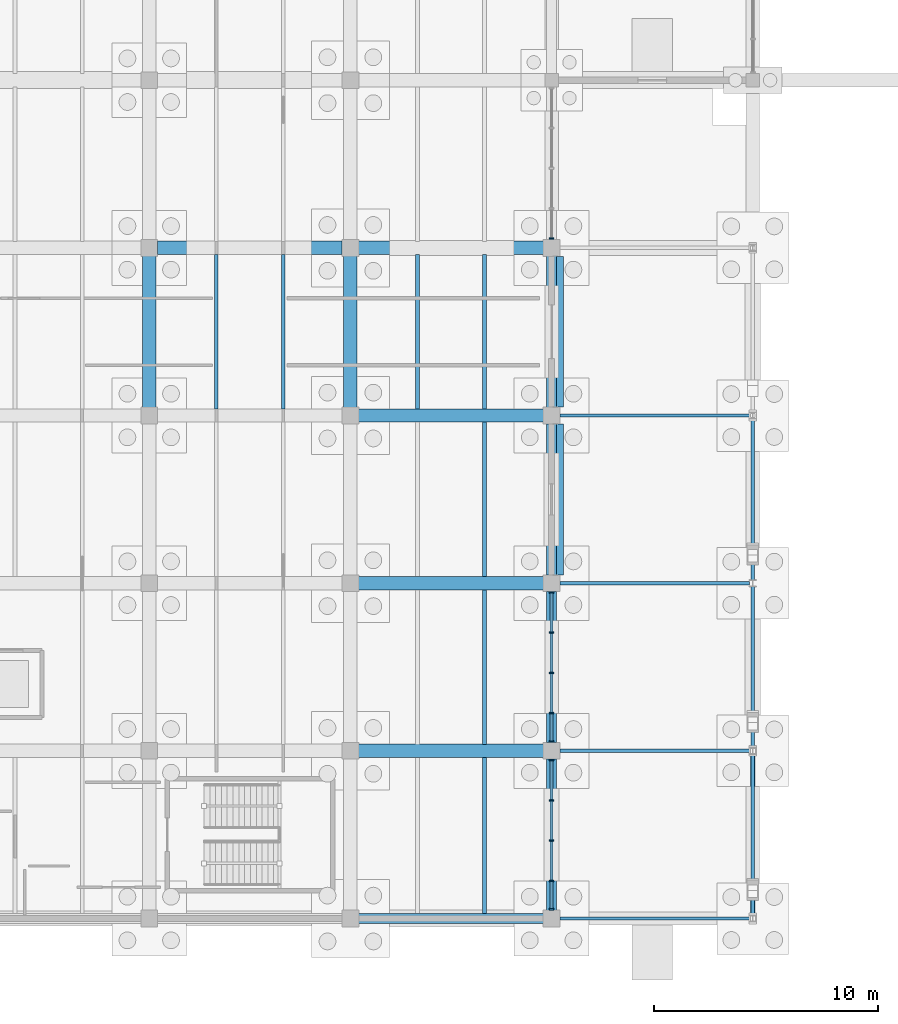
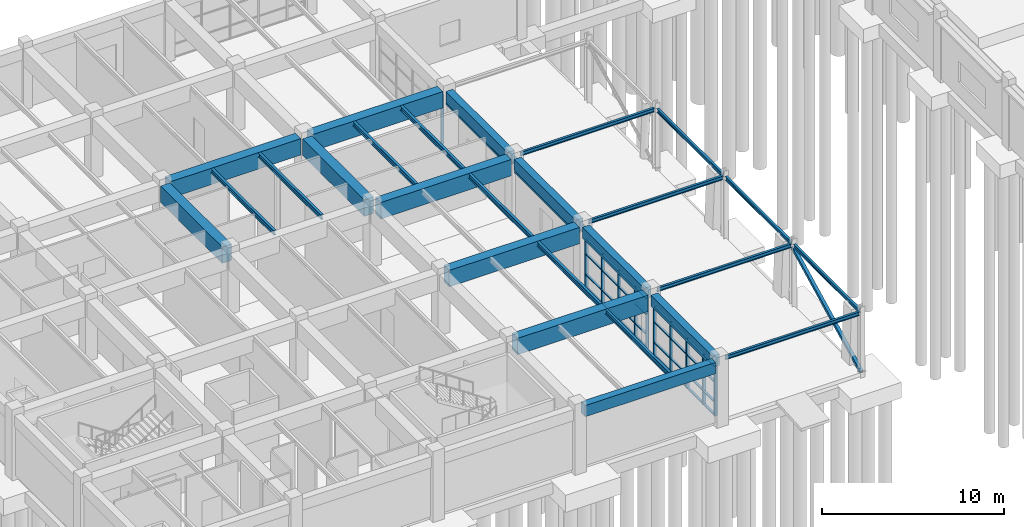
# One storey, part 17 of 93: 46 members, 26 beams, 3 elements without a shape of their own.
"""IFC4 building model written with IfcOpenShell, lengths in metres."""

from ifc_helpers import new_model, si_unit, direction, frame, origin, origin_2d, place, context, subcontext, project, spatial, rectangle, hollow_rectangle, i_section, extrude, material, layer, layer_set, material_profile, profile_set, type_object, element, aggregate, save


model = new_model("IFC4")

# Units and contexts
model_context = context("Model", 3, precision=1e-05, world=origin(), true_north=direction((0.0, 1.0)))
body_context = subcontext(model_context, "Body", "Model", "MODEL_VIEW")
ifc_project = project(units=[si_unit("LENGTHUNIT", "METRE"), si_unit("AREAUNIT", "SQUARE_METRE"), si_unit("VOLUMEUNIT", "CUBIC_METRE"), si_unit("PLANEANGLEUNIT", "RADIAN"), si_unit("MASSUNIT", "GRAM", prefix="KILO")], contexts=[model_context])

# Site, building, storey
site_placement = place(None, origin())
site = spatial("IfcSite", under=ifc_project, at=site_placement, CompositionType="ELEMENT")
building_placement = place(site_placement, origin())
building = spatial("IfcBuilding", under=site, at=building_placement, Name="Marnridge Secondary College", CompositionType="ELEMENT")
storey_placement = place(building_placement, origin())
storey = spatial("IfcBuildingStorey", under=building, at=storey_placement, Name="L00", CompositionType="ELEMENT", Elevation=0.0)

# Beams
ifc_material_1 = material(Name="Concrete C40/50 (AS 3600 N40, 40 MPa)", Category="concrete")
ifc_material_profile_1 = material_profile(ifc_material_1, rectangle(XDim=0.449951171875, YDim=0.75, at=origin_2d()), Name="RC 450x750")
ifc_profile_set_1 = profile_set([ifc_material_profile_1], Name="Concrete C40/50 (AS 3600 N40, 40 MPa)")
beam_type_1 = type_object("IfcBeamType", Name="BM-RC4575-EXT", PredefinedType="SPANDREL", material=ifc_profile_set_1)
beam_1_placement = place(storey_placement, frame((27.368896484375, 0.0, 3.715087890625), z_axis=(1.0, 0.0, 0.0), x_axis=(0.0, 1.0, 0.0)))
element("IfcBeam", 1, at=beam_1_placement, inside=storey, type_object=beam_type_1, Name="Beam BS-L00-0360", PredefinedType="SPANDREL", context=body_context, shape_type="SweptSolid", body=[
    extrude(rectangle(XDim=0.449951171875, YDim=0.75, at=origin_2d()), origin(), (0.0, 0.0, 1.0), 8.26220703125),
])
for number, where, z_axis, x_axis, name in (
    (2, (36.0, 0.368896484375, 3.715087890625), (0.0, 1.0, 0.0), (-1.0, 0.0, 0.0), "Beam BS-L00-0362"),
    (3, (36.0, 7.868896484375, 3.715087890625), (0.0, 1.0, 0.0), (-1.0, 0.0, 0.0), "Beam BS-L00-0364"),
    (4, (36.0, 15.368896484375, 3.715087890625), (0.0, 1.0, 0.0), (-1.0, 0.0, 0.0), "Beam BS-L00-0366"),
    (5, (36.0, 22.868896484375, 3.715087890625), (0.0, 1.0, 0.0), (-1.0, 0.0, 0.0), "Beam BS-L00-0368"),
):
    element("IfcBeam", number, at=place(storey_placement, frame(where, z_axis=z_axis, x_axis=x_axis)), inside=storey, type_object=beam_type_1, Name=name, PredefinedType="SPANDREL", context=body_context, shape_type="SweptSolid", body=[
        extrude(rectangle(XDim=0.449951171875, YDim=0.75, at=origin_2d()), origin(), (0.0, 0.0, 1.0), 6.76220703125),
    ])
ifc_material_2 = material(Name="Concrete C40/50 (AS 3600 N40, 40 MPa)", Category="concrete")
ifc_material_profile_2 = material_profile(ifc_material_2, rectangle(XDim=0.60009765625, YDim=1.10009765625, at=origin_2d()), Name="RC 600x1100")
ifc_profile_set_2 = profile_set([ifc_material_profile_2], Name="Concrete C40/50 (AS 3600 N40, 40 MPa)")
beam_type_2 = type_object("IfcBeamType", Name="BM-RC6011-INT", PredefinedType="BEAM", material=ifc_profile_set_2)
beam_2_placement = place(storey_placement, frame((18.0, 22.868896484375, 3.5400390625), z_axis=(0.0, 1.0, 0.0), x_axis=(-1.0, 0.0, 0.0)))
element("IfcBeam", 6, at=beam_2_placement, inside=storey, type_object=beam_type_2, Name="Beam B-L00-0342", PredefinedType="BEAM", context=body_context, shape_type="SweptSolid", body=[
    extrude(rectangle(XDim=0.60009765625, YDim=1.10009765625, at=origin_2d()), origin(), (0.0, 0.0, 1.0), 6.76220703125),
])
beam_3_placement = place(storey_placement, frame((18.368896484375, 30.0, 3.5400390625), z_axis=(1.0, 0.0, 0.0), x_axis=(0.0, 1.0, 0.0)))
element("IfcBeam", 7, at=beam_3_placement, inside=storey, type_object=beam_type_2, Name="Beam B-L00-0354", PredefinedType="BEAM", context=body_context, shape_type="SweptSolid", body=[
    extrude(rectangle(XDim=0.60009765625, YDim=1.10009765625, at=origin_2d()), origin(), (0.0, 0.0, 1.0), 8.26220703125),
])
beam_4_placement = place(storey_placement, frame((27.0, 22.868896484375, 3.5400390625), z_axis=(0.0, 1.0, 0.0), x_axis=(-1.0, 0.0, 0.0)))
element("IfcBeam", 8, at=beam_4_placement, inside=storey, type_object=beam_type_2, Name="Beam B-L00-0355", PredefinedType="BEAM", context=body_context, shape_type="SweptSolid", body=[
    extrude(rectangle(XDim=0.60009765625, YDim=1.10009765625, at=origin_2d()), origin(), (0.0, 0.0, 1.0), 6.76220703125),
])
for number, where, z_axis, x_axis, name in (
    (9, (27.368896484375, 7.5, 3.5400390625), (1.0, 0.0, 0.0), (0.0, 1.0, 0.0), "Beam B-L00-0361"),
    (10, (27.368896484375, 15.0, 3.5400390625), (1.0, 0.0, 0.0), (0.0, 1.0, 0.0), "Beam B-L00-0363"),
    (11, (27.368896484375, 22.5, 3.5400390625), (1.0, 0.0, 0.0), (0.0, 1.0, 0.0), "Beam B-L00-0365"),
    (12, (27.368896484375, 30.0, 3.5400390625), (1.0, 0.0, 0.0), (0.0, 1.0, 0.0), "Beam B-L00-0367"),
):
    element("IfcBeam", number, at=place(storey_placement, frame(where, z_axis=z_axis, x_axis=x_axis)), inside=storey, type_object=beam_type_2, Name=name, PredefinedType="BEAM", context=body_context, shape_type="SweptSolid", body=[
        extrude(rectangle(XDim=0.60009765625, YDim=1.10009765625, at=origin_2d()), origin(), (0.0, 0.0, 1.0), 8.26220703125),
    ])
ifc_material_3 = material(Name="Structural steel Grade 350 (AS/NZS 3679.1/.2, fy = 340-360 MPa)", Category="steel")
ifc_material_profile_3 = material_profile(ifc_material_3, i_section(OverallWidth=0.146240234375, OverallDepth=0.256103515625, WebThickness=0.00634765625, FlangeThickness=0.010986328125, FilletRadius=0.0087890625, at=origin_2d()), Name="250UB37.3")
ifc_profile_set_3 = profile_set([ifc_material_profile_3], Name="Structural steel Grade 350 (AS/NZS 3679.1/.2, fy = 340-360 MPa)")
beam_type_3 = type_object("IfcBeamType", Name="BM-UB250-EXT", PredefinedType="LINTEL", material=ifc_profile_set_3)
for number, where, z_axis, x_axis, name in (
    (13, (45.0, 0.14794921875, 4.031982421875), (0.0, 1.0, 0.0), (-1.0, 0.0, 0.0), "Beam BL-L00-1460"),
    (14, (45.0, 7.64794921875, 4.031982421875), (0.0, 1.0, 0.0), (-1.0, 0.0, 0.0), "Beam BL-L00-1461"),
    (15, (45.0, 15.14794921875, 4.031982421875), (0.0, 1.0, 0.0), (-1.0, 0.0, 0.0), "Beam BL-L00-1462"),
):
    element("IfcBeam", number, at=place(storey_placement, frame(where, z_axis=z_axis, x_axis=x_axis)), inside=storey, type_object=beam_type_3, Name=name, PredefinedType="LINTEL", context=body_context, shape_type="SweptSolid", body=[
        extrude(i_section(OverallWidth=0.146240234375, OverallDepth=0.256103515625, WebThickness=0.00634765625, FlangeThickness=0.010986328125, FilletRadius=0.0087890625, at=origin_2d()), origin(), (0.0, 0.0, 1.0), 7.2041015625),
    ])
for number, where, z_axis, x_axis, name in (
    (16, (36.368896484375, 0.0, 4.031982421875), (1.0, 0.0, 0.0), (0.0, 1.0, 0.0), "Beam BL-L00-1464"),
    (17, (36.368896484375, 7.5, 4.031982421875), (1.0, 0.0, 0.0), (0.0, 1.0, 0.0), "Beam BL-L00-1465"),
    (18, (36.368896484375, 15.0, 4.031982421875), (1.0, 0.0, 0.0), (0.0, 1.0, 0.0), "Beam BL-L00-1466"),
    (19, (36.368896484375, 22.5, 4.031982421875), (1.0, 0.0, 0.0), (0.0, 1.0, 0.0), "Beam BL-L00-1467"),
):
    element("IfcBeam", number, at=place(storey_placement, frame(where, z_axis=z_axis, x_axis=x_axis)), inside=storey, type_object=beam_type_3, Name=name, PredefinedType="LINTEL", context=body_context, shape_type="SweptSolid", body=[
        extrude(i_section(OverallWidth=0.146240234375, OverallDepth=0.256103515625, WebThickness=0.00634765625, FlangeThickness=0.010986328125, FilletRadius=0.0087890625, at=origin_2d()), origin(), (0.0, 0.0, 1.0), 8.484619140625),
    ])
ifc_material_4 = material(Name="Structural steel Grade 350 (AS/NZS 3679.1/.2, fy = 340-360 MPa)", Category="steel")
ifc_material_profile_4 = material_profile(ifc_material_4, i_section(OverallWidth=0.166015625, OverallDepth=0.30712890625, WebThickness=0.006591796875, FlangeThickness=0.01171875, FilletRadius=0.011474609375, at=origin_2d()), Name="310UB46.2")
ifc_profile_set_4 = profile_set([ifc_material_profile_4], Name="Structural steel Grade 350 (AS/NZS 3679.1/.2, fy = 340-360 MPa)")
beam_type_4 = type_object("IfcBeamType", Name="BM-UB310A-INT", PredefinedType="BEAM", material=ifc_profile_set_4)
for number, where, z_axis, x_axis, name in (
    (20, (21.0, 22.7939453125, 3.936279296875), (0.0, 1.0, 0.0), (-1.0, 0.0, 0.0), "Beam BJ-L00-0398"),
    (21, (24.0, 22.7939453125, 3.936279296875), (0.0, 1.0, 0.0), (-1.0, 0.0, 0.0), "Beam BJ-L00-0399"),
):
    element("IfcBeam", number, at=place(storey_placement, frame(where, z_axis=z_axis, x_axis=x_axis)), inside=storey, type_object=beam_type_4, Name=name, PredefinedType="BEAM", context=body_context, shape_type="SweptSolid", body=[
        extrude(i_section(OverallWidth=0.166015625, OverallDepth=0.30712890625, WebThickness=0.006591796875, FlangeThickness=0.01171875, FilletRadius=0.011474609375, at=origin_2d()), origin(), (0.0, 0.0, 1.0), 6.912109375),
    ])
beam_5_placement = place(storey_placement, frame((33.0, 0.218994140625, 3.936279296875), z_axis=(0.0, 1.0, 0.0), x_axis=(-1.0, 0.0, 0.0)))
element("IfcBeam", 22, at=beam_5_placement, inside=storey, type_object=beam_type_4, Name="Beam BJ-L00-0405", PredefinedType="BEAM", context=body_context, shape_type="SweptSolid", body=[
    extrude(i_section(OverallWidth=0.166015625, OverallDepth=0.30712890625, WebThickness=0.006591796875, FlangeThickness=0.01171875, FilletRadius=0.011474609375, at=origin_2d()), origin(), (0.0, 0.0, 1.0), 6.987060546875),
])
for number, where, z_axis, x_axis, name in (
    (23, (33.0, 7.7939453125, 3.936279296875), (0.0, 1.0, 0.0), (-1.0, 0.0, 0.0), "Beam BJ-L00-0407"),
    (24, (33.0, 15.2939453125, 3.936279296875), (0.0, 1.0, 0.0), (-1.0, 0.0, 0.0), "Beam BJ-L00-0409"),
    (25, (30.0, 22.7939453125, 3.936279296875), (0.0, 1.0, 0.0), (-1.0, 0.0, 0.0), "Beam BJ-L00-0410"),
    (26, (33.0, 22.7939453125, 3.936279296875), (0.0, 1.0, 0.0), (-1.0, 0.0, 0.0), "Beam BJ-L00-0411"),
):
    element("IfcBeam", number, at=place(storey_placement, frame(where, z_axis=z_axis, x_axis=x_axis)), inside=storey, type_object=beam_type_4, Name=name, PredefinedType="BEAM", context=body_context, shape_type="SweptSolid", body=[
        extrude(i_section(OverallWidth=0.166015625, OverallDepth=0.30712890625, WebThickness=0.006591796875, FlangeThickness=0.01171875, FilletRadius=0.011474609375, at=origin_2d()), origin(), (0.0, 0.0, 1.0), 6.912109375),
    ])

# Curtain wall, member
ifc_material_5 = material(Name="Bronze-anodised aluminium and solar-control glazing", Category="aluminium")
ifc_layer = layer(ifc_material_5, 0.199951171875)
ifc_layer_set = layer_set([ifc_layer], Name="CW-MOD-1800")
curtain_wall_type = type_object("IfcCurtainWallType", Name="CW-MOD-1800", PredefinedType="NOTDEFINED", material=ifc_layer_set)
curtain_wall_1_placement = place(storey_placement, origin())
curtain_wall_1 = element("IfcCurtainWall", 27, at=curtain_wall_1_placement, inside=storey, type_object=curtain_wall_type, Name="Unitised curtain wall CW-L00-023", PredefinedType="NOTDEFINED")
ifc_material_6 = material(Name="Bronze-anodised aluminium 6063-T6", Category="aluminium")
ifc_material_profile_5 = material_profile(ifc_material_6, rectangle(XDim=0.070068359375, YDim=0.199951171875, at=origin_2d()), Name="ALU 70x200")
ifc_profile_set_5 = profile_set([ifc_material_profile_5], Name="Bronze-anodised aluminium 6063-T6")
member_type_1 = type_object("IfcMemberType", Name="CWM-ALU200", PredefinedType="MULLION", material=ifc_profile_set_5)
member_1_placement = place(storey_placement, frame((36.0, 30.4140625, 0.0), z_axis=(0.0, 0.0, 1.0), x_axis=(0.0, -1.0, 0.0)))
member_1 = element("IfcMember", 28, at=member_1_placement, type_object=member_type_1, Name="CW-L00-023 mullion 5", PredefinedType="MULLION", context=body_context, shape_type="SweptSolid", body=[
    extrude(rectangle(XDim=0.070068359375, YDim=0.199951171875, at=origin_2d()), origin(), (0.0, 0.0, 1.0), 3.33203125),
])
aggregate(curtain_wall_1, [member_1])

# Curtain wall, members
curtain_wall_2_placement = place(storey_placement, origin())
curtain_wall_2 = element("IfcCurtainWall", 29, at=curtain_wall_2_placement, inside=storey, type_object=curtain_wall_type, Name="Unitised curtain wall CW-L00-024", PredefinedType="NOTDEFINED")
member_2_placement = place(storey_placement, frame((36.0, 14.5859375, 0.0), z_axis=(0.0, 0.0, 1.0), x_axis=(0.0, -1.0, 0.0)))
member_2 = element("IfcMember", 30, at=member_2_placement, type_object=member_type_1, Name="CW-L00-024 mullion 1", PredefinedType="MULLION", context=body_context, shape_type="SweptSolid", body=[
    extrude(rectangle(XDim=0.070068359375, YDim=0.199951171875, at=origin_2d()), origin(), (0.0, 0.0, 1.0), 3.33203125),
])
member_3_placement = place(storey_placement, frame((36.0, 12.785888671875, 0.0), z_axis=(0.0, 0.0, 1.0), x_axis=(0.0, -1.0, 0.0)))
member_3 = element("IfcMember", 31, at=member_3_placement, type_object=member_type_1, Name="CW-L00-024 mullion 2", PredefinedType="MULLION", context=body_context, shape_type="SweptSolid", body=[
    extrude(rectangle(XDim=0.070068359375, YDim=0.199951171875, at=origin_2d()), origin(), (0.0, 0.0, 1.0), 3.33203125),
])
member_4_placement = place(storey_placement, frame((36.0, 10.986083984375, 0.0), z_axis=(0.0, 0.0, 1.0), x_axis=(0.0, -1.0, 0.0)))
member_4 = element("IfcMember", 32, at=member_4_placement, type_object=member_type_1, Name="CW-L00-024 mullion 3", PredefinedType="MULLION", context=body_context, shape_type="SweptSolid", body=[
    extrude(rectangle(XDim=0.070068359375, YDim=0.199951171875, at=origin_2d()), origin(), (0.0, 0.0, 1.0), 3.33203125),
])
member_5_placement = place(storey_placement, frame((36.0, 9.18603515625, 0.0), z_axis=(0.0, 0.0, 1.0), x_axis=(0.0, -1.0, 0.0)))
member_5 = element("IfcMember", 33, at=member_5_placement, type_object=member_type_1, Name="CW-L00-024 mullion 4", PredefinedType="MULLION", context=body_context, shape_type="SweptSolid", body=[
    extrude(rectangle(XDim=0.070068359375, YDim=0.199951171875, at=origin_2d()), origin(), (0.0, 0.0, 1.0), 3.33203125),
])
member_6_placement = place(storey_placement, frame((36.0, 7.9140625, 0.0), z_axis=(0.0, 0.0, 1.0), x_axis=(0.0, -1.0, 0.0)))
member_6 = element("IfcMember", 34, at=member_6_placement, type_object=member_type_1, Name="CW-L00-024 mullion 5", PredefinedType="MULLION", context=body_context, shape_type="SweptSolid", body=[
    extrude(rectangle(XDim=0.070068359375, YDim=0.199951171875, at=origin_2d()), origin(), (0.0, 0.0, 1.0), 3.33203125),
])

curtain_wall_3_placement = place(storey_placement, origin())
curtain_wall_3 = element("IfcCurtainWall", 35, at=curtain_wall_3_placement, inside=storey, type_object=curtain_wall_type, Name="Unitised curtain wall CW-L00-025", PredefinedType="NOTDEFINED")
member_7_placement = place(storey_placement, frame((36.0, 7.0859375, 0.0), z_axis=(0.0, 0.0, 1.0), x_axis=(0.0, -1.0, 0.0)))
member_7 = element("IfcMember", 36, at=member_7_placement, type_object=member_type_1, Name="CW-L00-025 mullion 1", PredefinedType="MULLION", context=body_context, shape_type="SweptSolid", body=[
    extrude(rectangle(XDim=0.070068359375, YDim=0.199951171875, at=origin_2d()), origin(), (0.0, 0.0, 1.0), 3.33203125),
])
member_8_placement = place(storey_placement, frame((36.0, 5.285888671875, 0.0), z_axis=(0.0, 0.0, 1.0), x_axis=(0.0, -1.0, 0.0)))
member_8 = element("IfcMember", 37, at=member_8_placement, type_object=member_type_1, Name="CW-L00-025 mullion 2", PredefinedType="MULLION", context=body_context, shape_type="SweptSolid", body=[
    extrude(rectangle(XDim=0.070068359375, YDim=0.199951171875, at=origin_2d()), origin(), (0.0, 0.0, 1.0), 3.33203125),
])
member_9_placement = place(storey_placement, frame((36.0, 3.486083984375, 0.0), z_axis=(0.0, 0.0, 1.0), x_axis=(0.0, -1.0, 0.0)))
member_9 = element("IfcMember", 38, at=member_9_placement, type_object=member_type_1, Name="CW-L00-025 mullion 3", PredefinedType="MULLION", context=body_context, shape_type="SweptSolid", body=[
    extrude(rectangle(XDim=0.070068359375, YDim=0.199951171875, at=origin_2d()), origin(), (0.0, 0.0, 1.0), 3.33203125),
])
member_10_placement = place(storey_placement, frame((36.0, 1.68603515625, 0.0), z_axis=(0.0, 0.0, 1.0), x_axis=(0.0, -1.0, 0.0)))
member_10 = element("IfcMember", 39, at=member_10_placement, type_object=member_type_1, Name="CW-L00-025 mullion 4", PredefinedType="MULLION", context=body_context, shape_type="SweptSolid", body=[
    extrude(rectangle(XDim=0.070068359375, YDim=0.199951171875, at=origin_2d()), origin(), (0.0, 0.0, 1.0), 3.33203125),
])
member_11_placement = place(storey_placement, frame((36.0, 0.4140625, 0.0), z_axis=(0.0, 0.0, 1.0), x_axis=(0.0, -1.0, 0.0)))
member_11 = element("IfcMember", 40, at=member_11_placement, type_object=member_type_1, Name="CW-L00-025 mullion 5", PredefinedType="MULLION", context=body_context, shape_type="SweptSolid", body=[
    extrude(rectangle(XDim=0.070068359375, YDim=0.199951171875, at=origin_2d()), origin(), (0.0, 0.0, 1.0), 3.33203125),
])

# Member
ifc_material_7 = material(Name="Anodised aluminium 6063-T6", Category="aluminium")
ifc_material_profile_6 = material_profile(ifc_material_7, rectangle(XDim=0.06494140625, YDim=0.139892578125, at=origin_2d()), Name="ALU 65x140")
ifc_profile_set_6 = profile_set([ifc_material_profile_6], Name="Anodised aluminium 6063-T6")
member_type_2 = type_object("IfcMemberType", Name="CWT-ALU140", PredefinedType="USERDEFINED", material=ifc_profile_set_6)
member_12_placement = place(storey_placement, frame((36.0, 14.551025390625, 0.032470703125), z_axis=(0.0, -1.0, 0.0), x_axis=(0.0, 0.0, 1.0)))
member_12 = element("IfcMember", 41, at=member_12_placement, type_object=member_type_2, Name="CW-L00-024 transom 1.1", ObjectType="TRANSOM", PredefinedType="USERDEFINED", context=body_context, shape_type="SweptSolid", body=[
    extrude(rectangle(XDim=0.06494140625, YDim=0.139892578125, at=origin_2d()), origin(), (0.0, 0.0, 1.0), 1.72998046875),
])

member_13_placement = place(storey_placement, frame((36.0, 14.551025390625, 0.89990234375), z_axis=(0.0, -1.0, 0.0), x_axis=(0.0, 0.0, 1.0)))
member_13 = element("IfcMember", 42, at=member_13_placement, type_object=member_type_2, Name="CW-L00-024 transom 1.2", ObjectType="TRANSOM", PredefinedType="USERDEFINED", context=body_context, shape_type="SweptSolid", body=[
    extrude(rectangle(XDim=0.06494140625, YDim=0.139892578125, at=origin_2d()), origin(), (0.0, 0.0, 1.0), 1.72998046875),
])

member_14_placement = place(storey_placement, frame((36.0, 14.551025390625, 2.25), z_axis=(0.0, -1.0, 0.0), x_axis=(0.0, 0.0, 1.0)))
member_14 = element("IfcMember", 43, at=member_14_placement, type_object=member_type_2, Name="CW-L00-024 transom 1.3", ObjectType="TRANSOM", PredefinedType="USERDEFINED", context=body_context, shape_type="SweptSolid", body=[
    extrude(rectangle(XDim=0.06494140625, YDim=0.139892578125, at=origin_2d()), origin(), (0.0, 0.0, 1.0), 1.72998046875),
])

member_15_placement = place(storey_placement, frame((36.0, 14.551025390625, 3.299560546875), z_axis=(0.0, -1.0, 0.0), x_axis=(0.0, 0.0, 1.0)))
member_15 = element("IfcMember", 44, at=member_15_placement, type_object=member_type_2, Name="CW-L00-024 transom 1.4", ObjectType="TRANSOM", PredefinedType="USERDEFINED", context=body_context, shape_type="SweptSolid", body=[
    extrude(rectangle(XDim=0.06494140625, YDim=0.139892578125, at=origin_2d()), origin(), (0.0, 0.0, 1.0), 1.72998046875),
])

member_16_placement = place(storey_placement, frame((36.0, 12.7509765625, 0.032470703125), z_axis=(0.0, -1.0, 0.0), x_axis=(0.0, 0.0, 1.0)))
member_16 = element("IfcMember", 45, at=member_16_placement, type_object=member_type_2, Name="CW-L00-024 transom 2.1", ObjectType="TRANSOM", PredefinedType="USERDEFINED", context=body_context, shape_type="SweptSolid", body=[
    extrude(rectangle(XDim=0.06494140625, YDim=0.139892578125, at=origin_2d()), origin(), (0.0, 0.0, 1.0), 1.72998046875),
])

member_17_placement = place(storey_placement, frame((36.0, 12.7509765625, 0.89990234375), z_axis=(0.0, -1.0, 0.0), x_axis=(0.0, 0.0, 1.0)))
member_17 = element("IfcMember", 46, at=member_17_placement, type_object=member_type_2, Name="CW-L00-024 transom 2.2", ObjectType="TRANSOM", PredefinedType="USERDEFINED", context=body_context, shape_type="SweptSolid", body=[
    extrude(rectangle(XDim=0.06494140625, YDim=0.139892578125, at=origin_2d()), origin(), (0.0, 0.0, 1.0), 1.72998046875),
])

member_18_placement = place(storey_placement, frame((36.0, 12.7509765625, 2.25), z_axis=(0.0, -1.0, 0.0), x_axis=(0.0, 0.0, 1.0)))
member_18 = element("IfcMember", 47, at=member_18_placement, type_object=member_type_2, Name="CW-L00-024 transom 2.3", ObjectType="TRANSOM", PredefinedType="USERDEFINED", context=body_context, shape_type="SweptSolid", body=[
    extrude(rectangle(XDim=0.06494140625, YDim=0.139892578125, at=origin_2d()), origin(), (0.0, 0.0, 1.0), 1.72998046875),
])

member_19_placement = place(storey_placement, frame((36.0, 12.7509765625, 3.299560546875), z_axis=(0.0, -1.0, 0.0), x_axis=(0.0, 0.0, 1.0)))
member_19 = element("IfcMember", 48, at=member_19_placement, type_object=member_type_2, Name="CW-L00-024 transom 2.4", ObjectType="TRANSOM", PredefinedType="USERDEFINED", context=body_context, shape_type="SweptSolid", body=[
    extrude(rectangle(XDim=0.06494140625, YDim=0.139892578125, at=origin_2d()), origin(), (0.0, 0.0, 1.0), 1.72998046875),
])

member_20_placement = place(storey_placement, frame((36.0, 10.950927734375, 0.032470703125), z_axis=(0.0, -1.0, 0.0), x_axis=(0.0, 0.0, 1.0)))
member_20 = element("IfcMember", 49, at=member_20_placement, type_object=member_type_2, Name="CW-L00-024 transom 3.1", ObjectType="TRANSOM", PredefinedType="USERDEFINED", context=body_context, shape_type="SweptSolid", body=[
    extrude(rectangle(XDim=0.06494140625, YDim=0.139892578125, at=origin_2d()), origin(), (0.0, 0.0, 1.0), 1.72998046875),
])

member_21_placement = place(storey_placement, frame((36.0, 10.950927734375, 0.89990234375), z_axis=(0.0, -1.0, 0.0), x_axis=(0.0, 0.0, 1.0)))
member_21 = element("IfcMember", 50, at=member_21_placement, type_object=member_type_2, Name="CW-L00-024 transom 3.2", ObjectType="TRANSOM", PredefinedType="USERDEFINED", context=body_context, shape_type="SweptSolid", body=[
    extrude(rectangle(XDim=0.06494140625, YDim=0.139892578125, at=origin_2d()), origin(), (0.0, 0.0, 1.0), 1.72998046875),
])

member_22_placement = place(storey_placement, frame((36.0, 10.950927734375, 2.25), z_axis=(0.0, -1.0, 0.0), x_axis=(0.0, 0.0, 1.0)))
member_22 = element("IfcMember", 51, at=member_22_placement, type_object=member_type_2, Name="CW-L00-024 transom 3.3", ObjectType="TRANSOM", PredefinedType="USERDEFINED", context=body_context, shape_type="SweptSolid", body=[
    extrude(rectangle(XDim=0.06494140625, YDim=0.139892578125, at=origin_2d()), origin(), (0.0, 0.0, 1.0), 1.72998046875),
])

member_23_placement = place(storey_placement, frame((36.0, 10.950927734375, 3.299560546875), z_axis=(0.0, -1.0, 0.0), x_axis=(0.0, 0.0, 1.0)))
member_23 = element("IfcMember", 52, at=member_23_placement, type_object=member_type_2, Name="CW-L00-024 transom 3.4", ObjectType="TRANSOM", PredefinedType="USERDEFINED", context=body_context, shape_type="SweptSolid", body=[
    extrude(rectangle(XDim=0.06494140625, YDim=0.139892578125, at=origin_2d()), origin(), (0.0, 0.0, 1.0), 1.72998046875),
])

member_24_placement = place(storey_placement, frame((36.0, 9.15087890625, 0.032470703125), z_axis=(0.0, -1.0, 0.0), x_axis=(0.0, 0.0, 1.0)))
member_24 = element("IfcMember", 53, at=member_24_placement, type_object=member_type_2, Name="CW-L00-024 transom 4.1", ObjectType="TRANSOM", PredefinedType="USERDEFINED", context=body_context, shape_type="SweptSolid", body=[
    extrude(rectangle(XDim=0.06494140625, YDim=0.139892578125, at=origin_2d()), origin(), (0.0, 0.0, 1.0), 1.201904296875),
])

member_25_placement = place(storey_placement, frame((36.0, 9.15087890625, 0.89990234375), z_axis=(0.0, -1.0, 0.0), x_axis=(0.0, 0.0, 1.0)))
member_25 = element("IfcMember", 54, at=member_25_placement, type_object=member_type_2, Name="CW-L00-024 transom 4.2", ObjectType="TRANSOM", PredefinedType="USERDEFINED", context=body_context, shape_type="SweptSolid", body=[
    extrude(rectangle(XDim=0.06494140625, YDim=0.139892578125, at=origin_2d()), origin(), (0.0, 0.0, 1.0), 1.201904296875),
])

member_26_placement = place(storey_placement, frame((36.0, 9.15087890625, 2.25), z_axis=(0.0, -1.0, 0.0), x_axis=(0.0, 0.0, 1.0)))
member_26 = element("IfcMember", 55, at=member_26_placement, type_object=member_type_2, Name="CW-L00-024 transom 4.3", ObjectType="TRANSOM", PredefinedType="USERDEFINED", context=body_context, shape_type="SweptSolid", body=[
    extrude(rectangle(XDim=0.06494140625, YDim=0.139892578125, at=origin_2d()), origin(), (0.0, 0.0, 1.0), 1.201904296875),
])

member_27_placement = place(storey_placement, frame((36.0, 9.15087890625, 3.299560546875), z_axis=(0.0, -1.0, 0.0), x_axis=(0.0, 0.0, 1.0)))
member_27 = element("IfcMember", 56, at=member_27_placement, type_object=member_type_2, Name="CW-L00-024 transom 4.4", ObjectType="TRANSOM", PredefinedType="USERDEFINED", context=body_context, shape_type="SweptSolid", body=[
    extrude(rectangle(XDim=0.06494140625, YDim=0.139892578125, at=origin_2d()), origin(), (0.0, 0.0, 1.0), 1.201904296875),
])

aggregate(curtain_wall_2, [member_2, member_3, member_4, member_5, member_6, member_12, member_13, member_14, member_15, member_16, member_17, member_18, member_19, member_20, member_21, member_22, member_23, member_24, member_25, member_26, member_27])

member_28_placement = place(storey_placement, frame((36.0, 7.051025390625, 0.032470703125), z_axis=(0.0, -1.0, 0.0), x_axis=(0.0, 0.0, 1.0)))
member_28 = element("IfcMember", 57, at=member_28_placement, type_object=member_type_2, Name="CW-L00-025 transom 1.1", ObjectType="TRANSOM", PredefinedType="USERDEFINED", context=body_context, shape_type="SweptSolid", body=[
    extrude(rectangle(XDim=0.06494140625, YDim=0.139892578125, at=origin_2d()), origin(), (0.0, 0.0, 1.0), 1.72998046875),
])

member_29_placement = place(storey_placement, frame((36.0, 7.051025390625, 0.89990234375), z_axis=(0.0, -1.0, 0.0), x_axis=(0.0, 0.0, 1.0)))
member_29 = element("IfcMember", 58, at=member_29_placement, type_object=member_type_2, Name="CW-L00-025 transom 1.2", ObjectType="TRANSOM", PredefinedType="USERDEFINED", context=body_context, shape_type="SweptSolid", body=[
    extrude(rectangle(XDim=0.06494140625, YDim=0.139892578125, at=origin_2d()), origin(), (0.0, 0.0, 1.0), 1.72998046875),
])

member_30_placement = place(storey_placement, frame((36.0, 7.051025390625, 2.25), z_axis=(0.0, -1.0, 0.0), x_axis=(0.0, 0.0, 1.0)))
member_30 = element("IfcMember", 59, at=member_30_placement, type_object=member_type_2, Name="CW-L00-025 transom 1.3", ObjectType="TRANSOM", PredefinedType="USERDEFINED", context=body_context, shape_type="SweptSolid", body=[
    extrude(rectangle(XDim=0.06494140625, YDim=0.139892578125, at=origin_2d()), origin(), (0.0, 0.0, 1.0), 1.72998046875),
])

member_31_placement = place(storey_placement, frame((36.0, 7.051025390625, 3.299560546875), z_axis=(0.0, -1.0, 0.0), x_axis=(0.0, 0.0, 1.0)))
member_31 = element("IfcMember", 60, at=member_31_placement, type_object=member_type_2, Name="CW-L00-025 transom 1.4", ObjectType="TRANSOM", PredefinedType="USERDEFINED", context=body_context, shape_type="SweptSolid", body=[
    extrude(rectangle(XDim=0.06494140625, YDim=0.139892578125, at=origin_2d()), origin(), (0.0, 0.0, 1.0), 1.72998046875),
])

member_32_placement = place(storey_placement, frame((36.0, 5.2509765625, 0.032470703125), z_axis=(0.0, -1.0, 0.0), x_axis=(0.0, 0.0, 1.0)))
member_32 = element("IfcMember", 61, at=member_32_placement, type_object=member_type_2, Name="CW-L00-025 transom 2.1", ObjectType="TRANSOM", PredefinedType="USERDEFINED", context=body_context, shape_type="SweptSolid", body=[
    extrude(rectangle(XDim=0.06494140625, YDim=0.139892578125, at=origin_2d()), origin(), (0.0, 0.0, 1.0), 1.72998046875),
])

member_33_placement = place(storey_placement, frame((36.0, 5.2509765625, 0.89990234375), z_axis=(0.0, -1.0, 0.0), x_axis=(0.0, 0.0, 1.0)))
member_33 = element("IfcMember", 62, at=member_33_placement, type_object=member_type_2, Name="CW-L00-025 transom 2.2", ObjectType="TRANSOM", PredefinedType="USERDEFINED", context=body_context, shape_type="SweptSolid", body=[
    extrude(rectangle(XDim=0.06494140625, YDim=0.139892578125, at=origin_2d()), origin(), (0.0, 0.0, 1.0), 1.72998046875),
])

member_34_placement = place(storey_placement, frame((36.0, 5.2509765625, 2.25), z_axis=(0.0, -1.0, 0.0), x_axis=(0.0, 0.0, 1.0)))
member_34 = element("IfcMember", 63, at=member_34_placement, type_object=member_type_2, Name="CW-L00-025 transom 2.3", ObjectType="TRANSOM", PredefinedType="USERDEFINED", context=body_context, shape_type="SweptSolid", body=[
    extrude(rectangle(XDim=0.06494140625, YDim=0.139892578125, at=origin_2d()), origin(), (0.0, 0.0, 1.0), 1.72998046875),
])

member_35_placement = place(storey_placement, frame((36.0, 5.2509765625, 3.299560546875), z_axis=(0.0, -1.0, 0.0), x_axis=(0.0, 0.0, 1.0)))
member_35 = element("IfcMember", 64, at=member_35_placement, type_object=member_type_2, Name="CW-L00-025 transom 2.4", ObjectType="TRANSOM", PredefinedType="USERDEFINED", context=body_context, shape_type="SweptSolid", body=[
    extrude(rectangle(XDim=0.06494140625, YDim=0.139892578125, at=origin_2d()), origin(), (0.0, 0.0, 1.0), 1.72998046875),
])

member_36_placement = place(storey_placement, frame((36.0, 3.450927734375, 0.032470703125), z_axis=(0.0, -1.0, 0.0), x_axis=(0.0, 0.0, 1.0)))
member_36 = element("IfcMember", 65, at=member_36_placement, type_object=member_type_2, Name="CW-L00-025 transom 3.1", ObjectType="TRANSOM", PredefinedType="USERDEFINED", context=body_context, shape_type="SweptSolid", body=[
    extrude(rectangle(XDim=0.06494140625, YDim=0.139892578125, at=origin_2d()), origin(), (0.0, 0.0, 1.0), 1.72998046875),
])

member_37_placement = place(storey_placement, frame((36.0, 3.450927734375, 0.89990234375), z_axis=(0.0, -1.0, 0.0), x_axis=(0.0, 0.0, 1.0)))
member_37 = element("IfcMember", 66, at=member_37_placement, type_object=member_type_2, Name="CW-L00-025 transom 3.2", ObjectType="TRANSOM", PredefinedType="USERDEFINED", context=body_context, shape_type="SweptSolid", body=[
    extrude(rectangle(XDim=0.06494140625, YDim=0.139892578125, at=origin_2d()), origin(), (0.0, 0.0, 1.0), 1.72998046875),
])

member_38_placement = place(storey_placement, frame((36.0, 3.450927734375, 2.25), z_axis=(0.0, -1.0, 0.0), x_axis=(0.0, 0.0, 1.0)))
member_38 = element("IfcMember", 67, at=member_38_placement, type_object=member_type_2, Name="CW-L00-025 transom 3.3", ObjectType="TRANSOM", PredefinedType="USERDEFINED", context=body_context, shape_type="SweptSolid", body=[
    extrude(rectangle(XDim=0.06494140625, YDim=0.139892578125, at=origin_2d()), origin(), (0.0, 0.0, 1.0), 1.72998046875),
])

member_39_placement = place(storey_placement, frame((36.0, 3.450927734375, 3.299560546875), z_axis=(0.0, -1.0, 0.0), x_axis=(0.0, 0.0, 1.0)))
member_39 = element("IfcMember", 68, at=member_39_placement, type_object=member_type_2, Name="CW-L00-025 transom 3.4", ObjectType="TRANSOM", PredefinedType="USERDEFINED", context=body_context, shape_type="SweptSolid", body=[
    extrude(rectangle(XDim=0.06494140625, YDim=0.139892578125, at=origin_2d()), origin(), (0.0, 0.0, 1.0), 1.72998046875),
])

member_40_placement = place(storey_placement, frame((36.0, 1.65087890625, 0.032470703125), z_axis=(0.0, -1.0, 0.0), x_axis=(0.0, 0.0, 1.0)))
member_40 = element("IfcMember", 69, at=member_40_placement, type_object=member_type_2, Name="CW-L00-025 transom 4.1", ObjectType="TRANSOM", PredefinedType="USERDEFINED", context=body_context, shape_type="SweptSolid", body=[
    extrude(rectangle(XDim=0.06494140625, YDim=0.139892578125, at=origin_2d()), origin(), (0.0, 0.0, 1.0), 1.201904296875),
])

member_41_placement = place(storey_placement, frame((36.0, 1.65087890625, 0.89990234375), z_axis=(0.0, -1.0, 0.0), x_axis=(0.0, 0.0, 1.0)))
member_41 = element("IfcMember", 70, at=member_41_placement, type_object=member_type_2, Name="CW-L00-025 transom 4.2", ObjectType="TRANSOM", PredefinedType="USERDEFINED", context=body_context, shape_type="SweptSolid", body=[
    extrude(rectangle(XDim=0.06494140625, YDim=0.139892578125, at=origin_2d()), origin(), (0.0, 0.0, 1.0), 1.201904296875),
])

member_42_placement = place(storey_placement, frame((36.0, 1.65087890625, 2.25), z_axis=(0.0, -1.0, 0.0), x_axis=(0.0, 0.0, 1.0)))
member_42 = element("IfcMember", 71, at=member_42_placement, type_object=member_type_2, Name="CW-L00-025 transom 4.3", ObjectType="TRANSOM", PredefinedType="USERDEFINED", context=body_context, shape_type="SweptSolid", body=[
    extrude(rectangle(XDim=0.06494140625, YDim=0.139892578125, at=origin_2d()), origin(), (0.0, 0.0, 1.0), 1.201904296875),
])

member_43_placement = place(storey_placement, frame((36.0, 1.65087890625, 3.299560546875), z_axis=(0.0, -1.0, 0.0), x_axis=(0.0, 0.0, 1.0)))
member_43 = element("IfcMember", 72, at=member_43_placement, type_object=member_type_2, Name="CW-L00-025 transom 4.4", ObjectType="TRANSOM", PredefinedType="USERDEFINED", context=body_context, shape_type="SweptSolid", body=[
    extrude(rectangle(XDim=0.06494140625, YDim=0.139892578125, at=origin_2d()), origin(), (0.0, 0.0, 1.0), 1.201904296875),
])

aggregate(curtain_wall_3, [member_7, member_8, member_9, member_10, member_11, member_28, member_29, member_30, member_31, member_32, member_33, member_34, member_35, member_36, member_37, member_38, member_39, member_40, member_41, member_42, member_43])

# Members
ifc_material_8 = material(Name="Cold-formed steel Grade C350L0 (AS/NZS 1163, fy = 350 MPa)", Category="steel")
ifc_material_profile_7 = material_profile(ifc_material_8, hollow_rectangle(XDim=0.199951171875, YDim=0.199951171875, WallThickness=0.009033203125, at=origin_2d()), Name="200x200x9.0SHS")
ifc_profile_set_7 = profile_set([ifc_material_profile_7], Name="Cold-formed steel Grade C350L0 (AS/NZS 1163, fy = 350 MPa)")
member_type_3 = type_object("IfcMemberType", Name="MB-BR-SHS200", PredefinedType="BRACE", material=ifc_profile_set_7)
member_44_placement = place(storey_placement, frame((45.0, 0.0, 0.050048828125), z_axis=(0.0, 0.892033434612, 0.451969414379), x_axis=(-1.0, 0.0, 0.0)))
element("IfcMember", 73, at=member_44_placement, inside=storey, type_object=member_type_3, Name="Lateral brace BR-001", PredefinedType="BRACE", context=body_context, shape_type="SweptSolid", body=[
    extrude(hollow_rectangle(XDim=0.199951171875, YDim=0.199951171875, WallThickness=0.009033203125, at=origin_2d()), origin(), (0.0, 0.0, 1.0), 8.40771484375),
])
ifc_material_9 = material(Name="Precast concrete C40/50 (AS 3600 N40, 40 MPa)", Category="concrete")
ifc_material_profile_8 = material_profile(ifc_material_9, rectangle(XDim=0.139892578125, YDim=0.75, at=origin_2d()), Name="FIN PC 140x750")
ifc_profile_set_8 = profile_set([ifc_material_profile_8], Name="Precast concrete C40/50 (AS 3600 N40, 40 MPa)")
member_type_4 = type_object("IfcMemberType", Name="MB-FIN-PC750", PredefinedType="USERDEFINED", material=ifc_profile_set_8)
for number, where, z_axis, x_axis, name in (
    (74, (36.159912109375, 29.625, 3.251953125), (0.0, -1.0, 0.0), (0.0, 0.0, 1.0), "Solar shading fin SFN-0021"),
    (75, (36.159912109375, 22.125, 3.251953125), (0.0, -1.0, 0.0), (0.0, 0.0, 1.0), "Solar shading fin SFN-0022"),
):
    element("IfcMember", number, at=place(storey_placement, frame(where, z_axis=z_axis, x_axis=x_axis)), inside=storey, type_object=member_type_4, Name=name, ObjectType="SOLAR FIN", PredefinedType="USERDEFINED", context=body_context, shape_type="SweptSolid", body=[
        extrude(rectangle(XDim=0.139892578125, YDim=0.75, at=origin_2d()), origin(), (0.0, 0.0, 1.0), 6.75),
    ])

save(model, "model.ifc")
